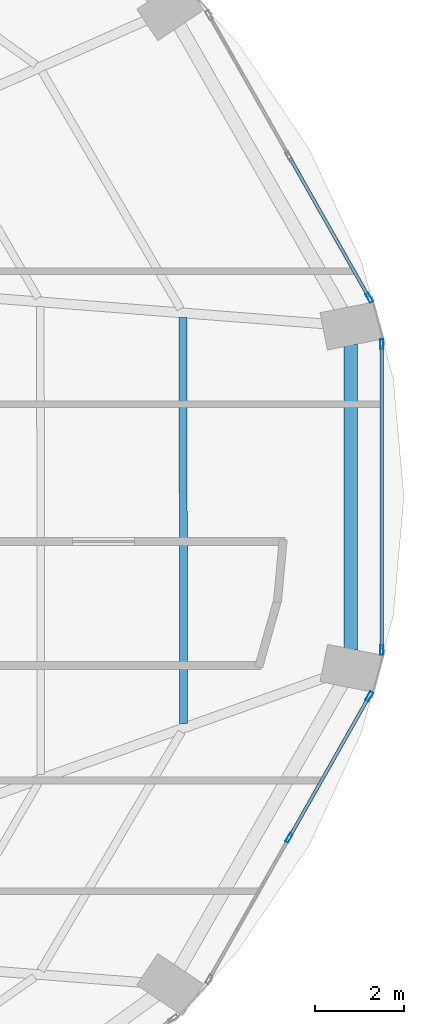
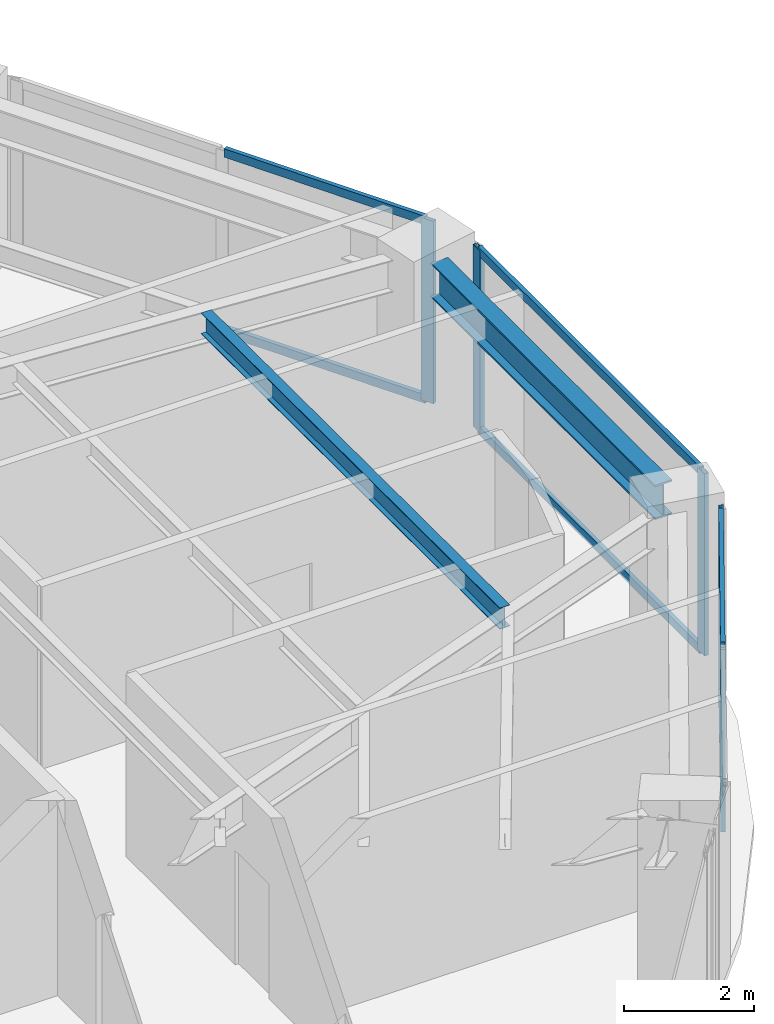
# One storey, part 13 of 25: 11 members, 2 beams, 3 elements without a shape of their own.
"""IFC4 building model written with IfcOpenShell, lengths in metres."""

import ifcopenshell
import ifcopenshell.guid

model = None  # the IFC model being written
_history = None  # IfcOwnerHistory: only IFC2X3 demands one
_inside = {}  # id of a spatial element -> (the spatial element, [elements in it])
_under = {}  # id of a project, library or spatial element -> (it, [spatial elements below it])
_declared = {}  # id of a project -> (the project, [libraries it declares])
_typed = {}  # id of a type object -> (the type object, [elements of that type])
_made_of = {}  # id of a material, layer set ... -> (it, [elements and type objects made of it])


def new_model(schema):
    """Start an empty IFC model of exactly this schema.

    Asked for "IFC4X3", IfcOpenShell would pick the latest addendum, in which some entities
    have other attributes; the version numbers below select the first issue.
    IFC2X3 requires an IfcOwnerHistory on every rooted entity: one is made here for all.
    """
    global model, _history
    if schema == "IFC4X3":
        model = ifcopenshell.file(schema_version=(4, 3, 0, 0))
    else:
        model = ifcopenshell.file(schema=schema)
    _inside.clear()
    _under.clear()
    _declared.clear()
    _typed.clear()
    _made_of.clear()
    _history = None
    if model.schema == "IFC2X3":
        org = make("IfcOrganization", Name="unknown")
        user = make(
            "IfcPersonAndOrganization",
            ThePerson=make("IfcPerson", FamilyName="unknown"),
            TheOrganization=org,
        )
        app = make(
            "IfcApplication",
            ApplicationDeveloper=org,
            Version="unknown",
            ApplicationFullName="unknown",
            ApplicationIdentifier="unknown",
        )
        _history = make(
            "IfcOwnerHistory",
            OwningUser=user,
            OwningApplication=app,
            ChangeAction="ADDED",
            CreationDate=0,
        )
    return model


def make(cls, **values):
    """One entity of the class cls with the attributes given. An attribute that is None is left unset."""
    return model.create_entity(
        cls, **{name: value for name, value in values.items() if value is not None}
    )


def rooted(cls, **values):
    """An entity with a GlobalId (a new one), such as an element, a storey or a relation."""
    return make(cls, GlobalId=ifcopenshell.guid.new(), OwnerHistory=_history, **values)


def si_unit(unit_type, name, prefix=None):
    """IfcSIUnit, for example si_unit("LENGTHUNIT", "METRE", prefix="MILLI")."""
    return make("IfcSIUnit", UnitType=unit_type, Prefix=prefix, Name=name)


def assignment(units):
    """IfcUnitAssignment: the units of a project."""
    return None if units is None else make("IfcUnitAssignment", Units=units)


def point(xyz):
    """IfcCartesianPoint."""
    return None if xyz is None else make("IfcCartesianPoint", Coordinates=xyz)


def direction(xyz):
    """IfcDirection."""
    return None if xyz is None else make("IfcDirection", DirectionRatios=xyz)


def frame(location, z_axis=None, x_axis=None):
    """IfcAxis2Placement3D, a coordinate frame: its origin and axes. An axis left out is left unset."""
    return make(
        "IfcAxis2Placement3D",
        Location=point(location),
        Axis=direction(z_axis),
        RefDirection=direction(x_axis),
    )


def frame_2d(location, x_axis=None):
    """IfcAxis2Placement2D, a coordinate frame in the plane: its origin and x axis."""
    return make(
        "IfcAxis2Placement2D", Location=point(location), RefDirection=direction(x_axis)
    )


def origin():
    """The frame at (0, 0, 0) with its axes left unset."""
    return frame((0.0, 0.0, 0.0))


def origin_2d():
    """The frame at (0, 0) in the plane with its x axis left unset."""
    return frame_2d((0.0, 0.0))


def place(relative_to, where):
    """IfcLocalPlacement: puts the frame where relative to a parent placement (None: the world)."""
    return make(
        "IfcLocalPlacement", PlacementRelTo=relative_to, RelativePlacement=where
    )


def context(
    kind, dimensions, precision=None, world=None, true_north=None, identifier=None
):
    """IfcGeometricRepresentationContext, for example the 3D "Model" context."""
    return make(
        "IfcGeometricRepresentationContext",
        ContextIdentifier=identifier,
        ContextType=kind,
        CoordinateSpaceDimension=dimensions,
        Precision=precision,
        WorldCoordinateSystem=world,
        TrueNorth=true_north,
    )


def subcontext(parent, identifier, kind, view, scale=None):
    """IfcGeometricRepresentationSubContext, for example "Body" below "Model"."""
    return make(
        "IfcGeometricRepresentationSubContext",
        ContextIdentifier=identifier,
        ContextType=kind,
        ParentContext=parent,
        TargetScale=scale,
        TargetView=view,
    )


def project(units=None, contexts=None):
    """IfcProject with its units and contexts."""
    return rooted(
        "IfcProject",
        Name="project",
        RepresentationContexts=contexts,
        UnitsInContext=assignment(units),
    )


def spatial(cls, under=None, at=None, **own):
    """A site, building, storey or space (cls), placed at a placement, below another one or the project."""
    s = rooted(cls, ObjectPlacement=at, **own)
    if under is not None:
        _under.setdefault(under.id(), (under, []))[1].append(s)
    return s


def profile(cls, at=None, kind="AREA", **sizes):
    """A parametric profile (cls). Its sizes go by their IFC names, for example OverallWidth=200.0."""
    return make(cls, ProfileType=kind, Position=at, **sizes)


def hollow_rectangle(**sizes):
    """IfcRectangleHollowProfileDef."""
    return profile("IfcRectangleHollowProfileDef", **sizes)


def i_section(**sizes):
    """IfcIShapeProfileDef."""
    return profile("IfcIShapeProfileDef", **sizes)


def extrude(swept, where, along, depth):
    """IfcExtrudedAreaSolid: the profile swept, set in the frame where, extruded along a direction by depth."""
    return make(
        "IfcExtrudedAreaSolid",
        SweptArea=swept,
        Position=where,
        ExtrudedDirection=direction(along),
        Depth=depth,
    )


def shape(context_of_items, identifier, shape_type, items):
    """IfcShapeRepresentation: the items that make up one representation, for example the "Body"."""
    return make(
        "IfcShapeRepresentation",
        ContextOfItems=context_of_items,
        RepresentationIdentifier=identifier,
        RepresentationType=shape_type,
        Items=items,
    )


def material(Name=None, Category=None):
    """IfcMaterial."""
    return make("IfcMaterial", Name=Name, Category=Category)


def layer(
    of_material, thickness, ventilated=None, Name=None, Category=None, Priority=None
):
    """IfcMaterialLayer: one layer of a wall or slab, of a material (None: an air gap)."""
    return make(
        "IfcMaterialLayer",
        Material=of_material,
        LayerThickness=thickness,
        IsVentilated=ventilated,
        Name=Name,
        Category=Category,
        Priority=Priority,
    )


def layer_set(layers, Name=None):
    """IfcMaterialLayerSet."""
    return make("IfcMaterialLayerSet", MaterialLayers=layers, LayerSetName=Name)


def material_profile(
    of_material, cross_section, Name=None, Category=None, Priority=None
):
    """IfcMaterialProfile: a cross section and its material."""
    return make(
        "IfcMaterialProfile",
        Name=Name,
        Material=of_material,
        Profile=cross_section,
        Priority=Priority,
        Category=Category,
    )


def profile_set(profiles, Name=None, composite=None):
    """IfcMaterialProfileSet."""
    return make(
        "IfcMaterialProfileSet",
        Name=Name,
        MaterialProfiles=profiles,
        CompositeProfile=composite,
    )


def made_of(thing, what):
    """Note that an element or type object is made of a material, layer set ...; save() writes the relation."""
    if what is not None:
        _made_of.setdefault(what.id(), (what, []))[1].append(thing)
    return thing


def type_object(cls, material=None, **own):
    """A type object (cls), such as IfcWallType, which elements share."""
    return made_of(rooted(cls, **own), material)


def element(
    cls,
    number,
    at=None,
    inside=None,
    cuts=None,
    type_object=None,
    material=None,
    context=None,
    identifier="Body",
    shape_type=None,
    held_by="IfcProductDefinitionShape",
    body=None,
    shapes=None,
    **own,
):
    """One element of the class cls, such as IfcWall. Its Tag is "e" and its number.

    at: its placement. inside: the storey or other place that contains it. cuts: it is an
    opening in that element (IfcRelVoidsElement). A single representation is given by context,
    identifier, shape_type and body (its items); several are given by shapes. held_by: the class
    of the entity that holds the representations. save() writes the other relations.
    """
    e = rooted(cls, Tag="e%d" % number, ObjectPlacement=at, **own)
    if body is not None:
        shapes = [shape(context, identifier, shape_type, body)]
    if shapes is not None:
        e.Representation = make(held_by, Representations=shapes)
    if inside is not None:
        _inside.setdefault(inside.id(), (inside, []))[1].append(e)
    if cuts is not None:
        rooted(
            "IfcRelVoidsElement", RelatingBuildingElement=cuts, RelatedOpeningElement=e
        )
    if type_object is not None:
        _typed.setdefault(type_object.id(), (type_object, []))[1].append(e)
    return made_of(e, material)


def aggregate(whole, parts):
    """IfcRelAggregates: a whole, such as a stair, and the parts it consists of."""
    return rooted("IfcRelAggregates", RelatingObject=whole, RelatedObjects=parts)


def save(model, path):
    """Write the relations noted so far, then the file.

    IfcRelAggregates (storeys below a building ...), IfcRelContainedInSpatialStructure (elements
    in a storey), IfcRelDefinesByType, IfcRelAssociatesMaterial and IfcRelDeclares: one each for
    every whole, place, type object, material and project.
    """
    for whole, parts in _under.values():
        aggregate(whole, parts)
    for where, things in _inside.values():
        rooted(
            "IfcRelContainedInSpatialStructure",
            RelatedElements=things,
            RelatingStructure=where,
        )
    for kind, things in _typed.values():
        rooted("IfcRelDefinesByType", RelatedObjects=things, RelatingType=kind)
    for what, things in _made_of.values():
        rooted("IfcRelAssociatesMaterial", RelatedObjects=things, RelatingMaterial=what)
    for by, libraries in _declared.values():
        rooted("IfcRelDeclares", RelatingContext=by, RelatedDefinitions=libraries)
    model.write(path)


model = new_model("IFC4")

# Units and contexts
model_context = context("Model", 3, precision=1e-05, world=origin(), true_north=direction((0.0, 1.0)))
body_context = subcontext(model_context, "Body", "Model", "MODEL_VIEW")
ifc_project = project(units=[si_unit("LENGTHUNIT", "METRE"), si_unit("AREAUNIT", "SQUARE_METRE"), si_unit("VOLUMEUNIT", "CUBIC_METRE"), si_unit("PLANEANGLEUNIT", "RADIAN"), si_unit("MASSUNIT", "GRAM", prefix="KILO")], contexts=[model_context])

# Site, building, storey
site_placement = place(None, origin())
site = spatial("IfcSite", under=ifc_project, at=site_placement, CompositionType="ELEMENT")
building_placement = place(site_placement, origin())
building = spatial("IfcBuilding", under=site, at=building_placement, Name="Lazwardi Medical Tower", CompositionType="ELEMENT")
storey_placement = place(building_placement, frame((0.0, 0.0, 47.087890625)))
storey = spatial("IfcBuildingStorey", under=building, at=storey_placement, Name="L11", CompositionType="ELEMENT", Elevation=47.087890625)

# Beams
ifc_material_1 = material(Name="Steel S355", Category="steel")
ifc_material_profile_1 = material_profile(ifc_material_1, i_section(OverallWidth=0.300048828125, OverallDepth=0.64990234375, WebThickness=0.01611328125, FlangeThickness=0.031005859375, at=origin_2d()), Name="HEB 650")
ifc_profile_set_1 = profile_set([ifc_material_profile_1], Name="Steel S355")
beam_type_1 = type_object("IfcBeamType", Name="BM-RB-Z1", PredefinedType="BEAM", material=ifc_profile_set_1)
beam_1_placement = place(storey_placement, frame((62.800048828125, 26.952392578125, 3.10302734375), z_axis=(0.0, 1.0, 0.0), x_axis=(-1.0, 0.0, 0.0)))
element("IfcBeam", 1, at=beam_1_placement, inside=storey, type_object=beam_type_1, Name="Ring beam RB-02 B04 L11", PredefinedType="BEAM", context=body_context, shape_type="SweptSolid", body=[
    extrude(i_section(OverallWidth=0.300048828125, OverallDepth=0.64990234375, WebThickness=0.01611328125, FlangeThickness=0.031005859375, at=origin_2d()), origin(), (0.0, 0.0, 1.0), 6.895263671875),
])
ifc_material_profile_2 = material_profile(ifc_material_1, i_section(OverallWidth=0.179931640625, OverallDepth=0.39990234375, WebThickness=0.008544921875, FlangeThickness=0.013427734375, at=origin_2d()), Name="IPE 400")
ifc_profile_set_2 = profile_set([ifc_material_profile_2], Name="Steel S355")
beam_type_2 = type_object("IfcBeamType", Name="BM-SJ-01", PredefinedType="JOIST", material=ifc_profile_set_2)
beam_2_placement = place(storey_placement, frame((59.0234375, 25.291015625, 3.22802734375), z_axis=(-0.002077613181, 0.999997841759, 0.0), x_axis=(-0.999997841759, -0.002077613181, 0.0)))
element("IfcBeam", 2, at=beam_2_placement, inside=storey, type_object=beam_type_2, Name="Secondary joist SJ-01 R1 B04 L11", PredefinedType="JOIST", context=body_context, shape_type="SweptSolid", body=[
    extrude(i_section(OverallWidth=0.179931640625, OverallDepth=0.39990234375, WebThickness=0.008544921875, FlangeThickness=0.013427734375, at=origin_2d()), origin(), (0.0, 0.0, 1.0), 9.165771484375),
])

# Curtain wall, members
ifc_material_2 = material(Name="Anodised bronze aluminium and solar control glazing", Category="aluminium")
ifc_layer = layer(ifc_material_2, 0.199951171875)
ifc_layer_set = layer_set([ifc_layer], Name="Anodised bronze aluminium and solar control glazing")
curtain_wall_type = type_object("IfcCurtainWallType", Name="CW-SYS-02", PredefinedType="NOTDEFINED", material=ifc_layer_set)
curtain_wall_1_placement = place(storey_placement, origin())
curtain_wall_1 = element("IfcCurtainWall", 3, at=curtain_wall_1_placement, inside=storey, type_object=curtain_wall_type, Name="L11 Unitised bronze curtain wall CW-02", PredefinedType="NOTDEFINED")
ifc_material_3 = material(Name="Anodised bronze aluminium", Category="aluminium")
ifc_material_profile_3 = material_profile(ifc_material_3, hollow_rectangle(XDim=0.074951171875, YDim=0.219970703125, WallThickness=0.00390625, at=origin_2d()), Name="ALU-MULLION 220x75x4")
ifc_profile_set_3 = profile_set([ifc_material_profile_3], Name="Anodised bronze aluminium")
member_type_1 = type_object("IfcMemberType", Name="CW-MUL-01", PredefinedType="MULLION", material=ifc_profile_set_3)
member_1_placement = place(storey_placement, frame((61.4052734375, 22.70458984375, 0.0), z_axis=(0.0, 0.0, 1.0), x_axis=(-0.870111838823, 0.492854327303, 0.0)))
member_1 = element("IfcMember", 4, at=member_1_placement, type_object=member_type_1, Name="CW-02 mullion 2", PredefinedType="MULLION", context=body_context, shape_type="SweptSolid", body=[
    extrude(hollow_rectangle(XDim=0.074951171875, YDim=0.219970703125, WallThickness=0.00390625, at=origin_2d()), origin(), (0.0, 0.0, 1.0), 3.42822265625),
])
member_2_placement = place(storey_placement, frame((63.214111328125, 25.897705078125, 0.0), z_axis=(0.0, 0.0, 1.0), x_axis=(-0.870111838823, 0.492854327303, 0.0)))
member_2 = element("IfcMember", 5, at=member_2_placement, type_object=member_type_1, Name="CW-02 mullion 3", PredefinedType="MULLION", context=body_context, shape_type="SweptSolid", body=[
    extrude(hollow_rectangle(XDim=0.074951171875, YDim=0.219970703125, WallThickness=0.00390625, at=origin_2d()), origin(), (0.0, 0.0, 1.0), 3.42822265625),
])

curtain_wall_2_placement = place(storey_placement, origin())
curtain_wall_2 = element("IfcCurtainWall", 6, at=curtain_wall_2_placement, inside=storey, type_object=curtain_wall_type, Name="L11 Unitised bronze curtain wall CW-02", PredefinedType="NOTDEFINED")
member_3_placement = place(storey_placement, frame((63.49853515625, 26.946044921875, 0.0), z_axis=(0.0, 0.0, 1.0), x_axis=(-1.0, 0.0, 0.0)))
member_3 = element("IfcMember", 7, at=member_3_placement, type_object=member_type_1, Name="CW-02 mullion 1", PredefinedType="MULLION", context=body_context, shape_type="SweptSolid", body=[
    extrude(hollow_rectangle(XDim=0.074951171875, YDim=0.219970703125, WallThickness=0.00390625, at=origin_2d()), origin(), (0.0, 0.0, 1.0), 3.42822265625),
])
member_4_placement = place(storey_placement, frame((63.49853515625, 33.85400390625, 0.0), z_axis=(0.0, 0.0, 1.0), x_axis=(-1.0, 0.0, 0.0)))
member_4 = element("IfcMember", 8, at=member_4_placement, type_object=member_type_1, Name="CW-02 mullion 2", PredefinedType="MULLION", context=body_context, shape_type="SweptSolid", body=[
    extrude(hollow_rectangle(XDim=0.074951171875, YDim=0.219970703125, WallThickness=0.00390625, at=origin_2d()), origin(), (0.0, 0.0, 1.0), 3.42822265625),
])

# Curtain wall, member
curtain_wall_3_placement = place(storey_placement, origin())
curtain_wall_3 = element("IfcCurtainWall", 9, at=curtain_wall_3_placement, inside=storey, type_object=curtain_wall_type, Name="L11 Unitised bronze curtain wall CW-02", PredefinedType="NOTDEFINED")
member_5_placement = place(storey_placement, frame((63.214111328125, 34.90234375, 0.0), z_axis=(0.0, 0.0, 1.0), x_axis=(-0.870111838823, -0.492854327303, 0.0)))
member_5 = element("IfcMember", 10, at=member_5_placement, type_object=member_type_1, Name="CW-02 mullion 1", PredefinedType="MULLION", context=body_context, shape_type="SweptSolid", body=[
    extrude(hollow_rectangle(XDim=0.074951171875, YDim=0.219970703125, WallThickness=0.00390625, at=origin_2d()), origin(), (0.0, 0.0, 1.0), 3.42822265625),
])

# Member
ifc_material_profile_4 = material_profile(ifc_material_3, hollow_rectangle(XDim=0.074951171875, YDim=0.159912109375, WallThickness=0.00390625, at=origin_2d()), Name="ALU-TRANSOM 160x75x4")
ifc_profile_set_4 = profile_set([ifc_material_profile_4], Name="Anodised bronze aluminium")
member_type_2 = type_object("IfcMemberType", Name="CW-TRN-01", PredefinedType="USERDEFINED", material=ifc_profile_set_4)
member_6_placement = place(storey_placement, frame((61.423828125, 22.737060546875, 0.03759765625), z_axis=(0.49285148925, 0.870113446365, 0.0), x_axis=(-0.870113446365, 0.49285148925, 0.0)))
member_6 = element("IfcMember", 11, at=member_6_placement, type_object=member_type_2, Name="CW-02 transom 2.1", ObjectType="TRANSOM", PredefinedType="USERDEFINED", context=body_context, shape_type="SweptSolid", body=[
    extrude(hollow_rectangle(XDim=0.074951171875, YDim=0.159912109375, WallThickness=0.00390625, at=origin_2d()), origin(), (0.0, 0.0, 1.0), 3.594970703125),
])

member_7_placement = place(storey_placement, frame((61.423828125, 22.737060546875, 3.390625), z_axis=(0.49285148925, 0.870113446365, 0.0), x_axis=(-0.870113446365, 0.49285148925, 0.0)))
member_7 = element("IfcMember", 12, at=member_7_placement, type_object=member_type_2, Name="CW-02 transom 2.2", ObjectType="TRANSOM", PredefinedType="USERDEFINED", context=body_context, shape_type="SweptSolid", body=[
    extrude(hollow_rectangle(XDim=0.074951171875, YDim=0.159912109375, WallThickness=0.00390625, at=origin_2d()), origin(), (0.0, 0.0, 1.0), 3.594970703125),
])

aggregate(curtain_wall_1, [member_1, member_2, member_6, member_7])

member_8_placement = place(storey_placement, frame((63.49853515625, 26.9833984375, 0.03759765625), z_axis=(0.0, 1.0, 0.0), x_axis=(-1.0, 0.0, 0.0)))
member_8 = element("IfcMember", 13, at=member_8_placement, type_object=member_type_2, Name="CW-02 transom 1.1", ObjectType="TRANSOM", PredefinedType="USERDEFINED", context=body_context, shape_type="SweptSolid", body=[
    extrude(hollow_rectangle(XDim=0.074951171875, YDim=0.159912109375, WallThickness=0.00390625, at=origin_2d()), origin(), (0.0, 0.0, 1.0), 6.8330078125),
])

member_9_placement = place(storey_placement, frame((63.49853515625, 26.9833984375, 3.390625), z_axis=(0.0, 1.0, 0.0), x_axis=(-1.0, 0.0, 0.0)))
member_9 = element("IfcMember", 14, at=member_9_placement, type_object=member_type_2, Name="CW-02 transom 1.2", ObjectType="TRANSOM", PredefinedType="USERDEFINED", context=body_context, shape_type="SweptSolid", body=[
    extrude(hollow_rectangle(XDim=0.074951171875, YDim=0.159912109375, WallThickness=0.00390625, at=origin_2d()), origin(), (0.0, 0.0, 1.0), 6.8330078125),
])

aggregate(curtain_wall_2, [member_3, member_4, member_8, member_9])

member_10_placement = place(storey_placement, frame((63.195556640625, 34.93505859375, 0.03759765625), z_axis=(-0.492880614687, 0.870096948429, 0.0), x_axis=(-0.870096948429, -0.492880614687, 0.0)))
member_10 = element("IfcMember", 15, at=member_10_placement, type_object=member_type_2, Name="CW-02 transom 1.1", ObjectType="TRANSOM", PredefinedType="USERDEFINED", context=body_context, shape_type="SweptSolid", body=[
    extrude(hollow_rectangle(XDim=0.074951171875, YDim=0.159912109375, WallThickness=0.00390625, at=origin_2d()), origin(), (0.0, 0.0, 1.0), 3.5947265625),
])

member_11_placement = place(storey_placement, frame((63.195556640625, 34.93505859375, 3.390625), z_axis=(-0.492880614687, 0.870096948429, 0.0), x_axis=(-0.870096948429, -0.492880614687, 0.0)))
member_11 = element("IfcMember", 16, at=member_11_placement, type_object=member_type_2, Name="CW-02 transom 1.2", ObjectType="TRANSOM", PredefinedType="USERDEFINED", context=body_context, shape_type="SweptSolid", body=[
    extrude(hollow_rectangle(XDim=0.074951171875, YDim=0.159912109375, WallThickness=0.00390625, at=origin_2d()), origin(), (0.0, 0.0, 1.0), 3.5947265625),
])

aggregate(curtain_wall_3, [member_5, member_10, member_11])

save(model, "model.ifc")
